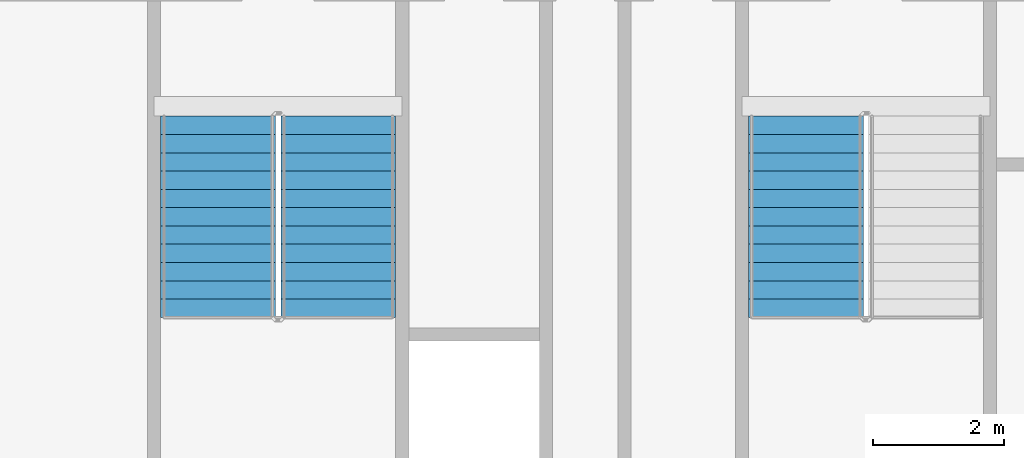
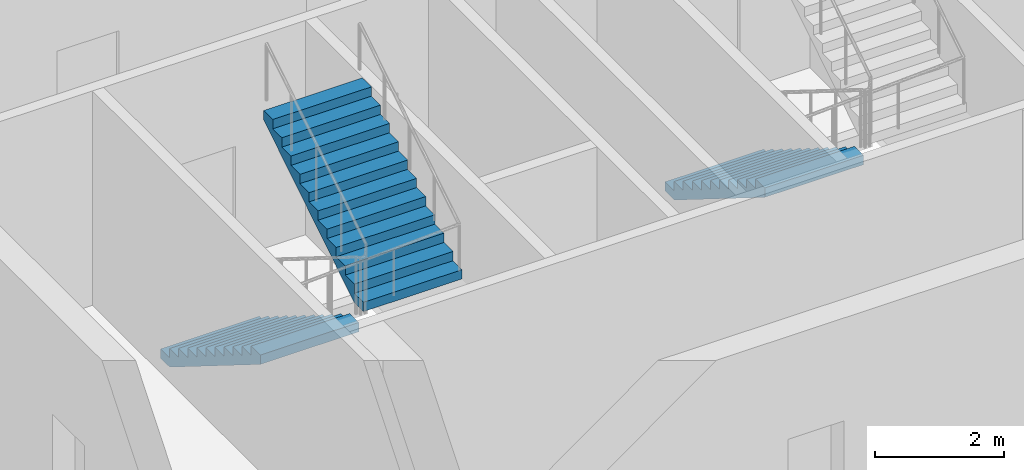
# One storey, part 20 of 27: 3 stair flights, 2 elements without a shape of their own.
"""IFC4 building model written with IfcOpenShell, lengths in metres."""

from ifc_helpers import new_model, si_unit, direction, frame, origin, place, context, subcontext, project, spatial, faceted_brep, material, type_object, element, aggregate, save


model = new_model("IFC4")

# Units and contexts
model_context = context("Model", 3, precision=1e-05, world=origin(), true_north=direction((0.0, 1.0)))
body_context = subcontext(model_context, "Body", "Model", "MODEL_VIEW")
ifc_project = project(units=[si_unit("LENGTHUNIT", "METRE"), si_unit("AREAUNIT", "SQUARE_METRE"), si_unit("VOLUMEUNIT", "CUBIC_METRE"), si_unit("PLANEANGLEUNIT", "RADIAN"), si_unit("MASSUNIT", "GRAM", prefix="KILO")], contexts=[model_context])

# Site, building, storey
site_placement = place(None, origin())
site = spatial("IfcSite", under=ifc_project, at=site_placement, CompositionType="ELEMENT")
building_placement = place(site_placement, origin())
building = spatial("IfcBuilding", under=site, at=building_placement, Name="Tarsis Ring Headquarters", CompositionType="ELEMENT")
storey_placement = place(building_placement, frame((0.0, 0.0, 373.39990234375)))
storey = spatial("IfcBuildingStorey", under=building, at=storey_placement, Name="L88", CompositionType="ELEMENT", Elevation=373.39990234375)

# Stair, stair flights
ifc_material_1 = material(Name="Core stair 1760")
stair_type = type_object("IfcStairType", Name="Core stair 1760", PredefinedType="HALF_TURN_STAIR", material=ifc_material_1)
stair_1_placement = place(storey_placement, origin())
stair_1 = element("IfcStair", 1, at=stair_1_placement, inside=storey, type_object=stair_type, Name="L88 Exit stair C", PredefinedType="HALF_TURN_STAIR")
ifc_material_2 = material(Name="Concrete C40/50", Category="concrete")
stair_flight_type = type_object("IfcStairFlightType", Name="Core stair flight 1760", PredefinedType="STRAIGHT", material=ifc_material_2)
stair_flight_1_placement = place(storey_placement, frame((-5.419921875, -3.659912109375, 0.0), z_axis=(0.0, 0.0, 1.0), x_axis=(0.0, -1.0, 0.0)))
stair_flight_1 = element("IfcStairFlight", 2, at=stair_flight_1_placement, type_object=stair_flight_type, Name="Stair ST3 flight 1", NumberOfRisers=12, NumberOfTreads=11, PredefinedType="STRAIGHT", RiserHeight=0.175, TreadLength=0.28, context=body_context, shape_type="Brep", body=[
    faceted_brep([(0.0, 0.8798828125, 0.0), (0.0, 0.8798828125, 0.175048828125), (0.280029296875, 0.8798828125, 0.175048828125), (0.280029296875, 0.8798828125, 0.35009765625), (0.56005859375, 0.8798828125, 0.35009765625), (0.56005859375, 0.8798828125, 0.52490234375), (0.840087890625, 0.8798828125, 0.52490234375), (0.840087890625, 0.8798828125, 0.699951171875), (1.1201171875, 0.8798828125, 0.699951171875), (1.1201171875, 0.8798828125, 0.875), (1.39990234375, 0.8798828125, 0.875), (1.39990234375, 0.8798828125, 1.050048828125), (1.679931640625, 0.8798828125, 1.050048828125), (1.679931640625, 0.8798828125, 1.22509765625), (1.9599609375, 0.8798828125, 1.22509765625), (1.9599609375, 0.8798828125, 1.39990234375), (2.239990234375, 0.8798828125, 1.39990234375), (2.239990234375, 0.8798828125, 1.574951171875), (2.52001953125, 0.8798828125, 1.574951171875), (2.52001953125, 0.8798828125, 1.75), (2.800048828125, 0.8798828125, 1.75), (2.800048828125, 0.8798828125, 1.925048828125), (3.080078125, 0.8798828125, 1.925048828125), (3.080078125, 0.8798828125, 1.748291015625), (0.28271484375, 0.8798828125, 0.0), (0.28271484375, -0.8798828125, 0.0), (3.080078125, -0.8798828125, 1.748291015625), (3.080078125, -0.8798828125, 1.925048828125), (2.800048828125, -0.8798828125, 1.925048828125), (2.800048828125, -0.8798828125, 1.75), (2.52001953125, -0.8798828125, 1.75), (2.52001953125, -0.8798828125, 1.574951171875), (2.239990234375, -0.8798828125, 1.574951171875), (2.239990234375, -0.8798828125, 1.39990234375), (1.9599609375, -0.8798828125, 1.39990234375), (1.9599609375, -0.8798828125, 1.22509765625), (1.679931640625, -0.8798828125, 1.22509765625), (1.679931640625, -0.8798828125, 1.050048828125), (1.39990234375, -0.8798828125, 1.050048828125), (1.39990234375, -0.8798828125, 0.875), (1.1201171875, -0.8798828125, 0.875), (1.1201171875, -0.8798828125, 0.699951171875), (0.840087890625, -0.8798828125, 0.699951171875), (0.840087890625, -0.8798828125, 0.52490234375), (0.56005859375, -0.8798828125, 0.52490234375), (0.56005859375, -0.8798828125, 0.35009765625), (0.280029296875, -0.8798828125, 0.35009765625), (0.280029296875, -0.8798828125, 0.175048828125), (0.0, -0.8798828125, 0.175048828125), (0.0, -0.8798828125, 0.0), (0.0, -0.43994140625, 0.175048828125), (0.0, -0.43994140625, 0.0), (0.0, 0.0, 0.175048828125), (0.0, 0.0, 0.0), (0.0, 0.43994140625, 0.175048828125), (0.0, 0.43994140625, 0.0), (0.280029296875, -0.43994140625, 0.175048828125), (0.280029296875, 0.0, 0.175048828125), (0.280029296875, 0.43994140625, 0.175048828125), (0.280029296875, -0.43994140625, 0.35009765625), (0.280029296875, 0.0, 0.35009765625), (0.280029296875, 0.43994140625, 0.35009765625), (0.56005859375, -0.43994140625, 0.35009765625), (0.56005859375, 0.0, 0.35009765625), (0.56005859375, 0.43994140625, 0.35009765625), (0.56005859375, -0.43994140625, 0.52490234375), (0.56005859375, 0.0, 0.52490234375), (0.56005859375, 0.43994140625, 0.52490234375), (0.840087890625, -0.43994140625, 0.52490234375), (0.840087890625, 0.0, 0.52490234375), (0.840087890625, 0.43994140625, 0.52490234375), (0.840087890625, -0.43994140625, 0.699951171875), (0.840087890625, 0.0, 0.699951171875), (0.840087890625, 0.43994140625, 0.699951171875), (1.1201171875, -0.43994140625, 0.699951171875), (1.1201171875, 0.0, 0.699951171875), (1.1201171875, 0.43994140625, 0.699951171875), (1.1201171875, -0.43994140625, 0.875), (1.1201171875, 0.0, 0.875), (1.1201171875, 0.43994140625, 0.875), (1.39990234375, -0.43994140625, 0.875), (1.39990234375, 0.0, 0.875), (1.39990234375, 0.43994140625, 0.875), (1.39990234375, -0.43994140625, 1.050048828125), (1.39990234375, 0.0, 1.050048828125), (1.39990234375, 0.43994140625, 1.050048828125), (1.679931640625, -0.43994140625, 1.050048828125), (1.679931640625, 0.0, 1.050048828125), (1.679931640625, 0.43994140625, 1.050048828125), (1.679931640625, -0.43994140625, 1.22509765625), (1.679931640625, 0.0, 1.22509765625), (1.679931640625, 0.43994140625, 1.22509765625), (1.9599609375, -0.43994140625, 1.22509765625), (1.9599609375, 0.0, 1.22509765625), (1.9599609375, 0.43994140625, 1.22509765625), (1.9599609375, -0.43994140625, 1.39990234375), (1.9599609375, 0.0, 1.39990234375), (1.9599609375, 0.43994140625, 1.39990234375), (2.239990234375, -0.43994140625, 1.39990234375), (2.239990234375, 0.0, 1.39990234375), (2.239990234375, 0.43994140625, 1.39990234375), (2.239990234375, -0.43994140625, 1.574951171875), (2.239990234375, 0.0, 1.574951171875), (2.239990234375, 0.43994140625, 1.574951171875), (2.52001953125, -0.43994140625, 1.574951171875), (2.52001953125, 0.0, 1.574951171875), (2.52001953125, 0.43994140625, 1.574951171875), (2.52001953125, -0.43994140625, 1.75), (2.52001953125, 0.0, 1.75), (2.52001953125, 0.43994140625, 1.75), (2.800048828125, -0.43994140625, 1.75), (2.800048828125, 0.0, 1.75), (2.800048828125, 0.43994140625, 1.75), (2.800048828125, -0.43994140625, 1.925048828125), (2.800048828125, 0.0, 1.925048828125), (2.800048828125, 0.43994140625, 1.925048828125), (3.080078125, -0.43994140625, 1.925048828125), (3.080078125, 0.0, 1.925048828125), (3.080078125, 0.43994140625, 1.925048828125), (3.080078125, -0.43994140625, 1.748291015625), (3.080078125, 0.0, 1.748291015625), (3.080078125, 0.43994140625, 1.748291015625), (0.28271484375, -0.43994140625, 0.0), (0.28271484375, 0.0, 0.0), (0.28271484375, 0.43994140625, 0.0)], [[[0, 1, 2, 3, 4, 5, 6, 7, 8, 9, 10, 11, 12, 13, 14, 15, 16, 17, 18, 19, 20, 21, 22, 23, 24]], [[25, 26, 27, 28, 29, 30, 31, 32, 33, 34, 35, 36, 37, 38, 39, 40, 41, 42, 43, 44, 45, 46, 47, 48, 49]], [[49, 48, 50, 51]], [[51, 50, 52, 53]], [[53, 52, 54, 55]], [[55, 54, 1, 0]], [[48, 47, 56, 50]], [[50, 56, 57, 52]], [[52, 57, 58, 54]], [[54, 58, 2, 1]], [[47, 46, 59, 56]], [[56, 59, 60, 57]], [[57, 60, 61, 58]], [[58, 61, 3, 2]], [[46, 45, 62, 59]], [[59, 62, 63, 60]], [[60, 63, 64, 61]], [[61, 64, 4, 3]], [[45, 44, 65, 62]], [[62, 65, 66, 63]], [[63, 66, 67, 64]], [[64, 67, 5, 4]], [[44, 43, 68, 65]], [[65, 68, 69, 66]], [[66, 69, 70, 67]], [[67, 70, 6, 5]], [[43, 42, 71, 68]], [[68, 71, 72, 69]], [[69, 72, 73, 70]], [[70, 73, 7, 6]], [[42, 41, 74, 71]], [[71, 74, 75, 72]], [[72, 75, 76, 73]], [[73, 76, 8, 7]], [[41, 40, 77, 74]], [[74, 77, 78, 75]], [[75, 78, 79, 76]], [[76, 79, 9, 8]], [[40, 39, 80, 77]], [[77, 80, 81, 78]], [[78, 81, 82, 79]], [[79, 82, 10, 9]], [[39, 38, 83, 80]], [[80, 83, 84, 81]], [[81, 84, 85, 82]], [[82, 85, 11, 10]], [[38, 37, 86, 83]], [[83, 86, 87, 84]], [[84, 87, 88, 85]], [[85, 88, 12, 11]], [[37, 36, 89, 86]], [[86, 89, 90, 87]], [[87, 90, 91, 88]], [[88, 91, 13, 12]], [[36, 35, 92, 89]], [[89, 92, 93, 90]], [[90, 93, 94, 91]], [[91, 94, 14, 13]], [[35, 34, 95, 92]], [[92, 95, 96, 93]], [[93, 96, 97, 94]], [[94, 97, 15, 14]], [[34, 33, 98, 95]], [[95, 98, 99, 96]], [[96, 99, 100, 97]], [[97, 100, 16, 15]], [[33, 32, 101, 98]], [[98, 101, 102, 99]], [[99, 102, 103, 100]], [[100, 103, 17, 16]], [[32, 31, 104, 101]], [[101, 104, 105, 102]], [[102, 105, 106, 103]], [[103, 106, 18, 17]], [[31, 30, 107, 104]], [[104, 107, 108, 105]], [[105, 108, 109, 106]], [[106, 109, 19, 18]], [[30, 29, 110, 107]], [[107, 110, 111, 108]], [[108, 111, 112, 109]], [[109, 112, 20, 19]], [[29, 28, 113, 110]], [[110, 113, 114, 111]], [[111, 114, 115, 112]], [[112, 115, 21, 20]], [[28, 27, 116, 113]], [[113, 116, 117, 114]], [[114, 117, 118, 115]], [[115, 118, 22, 21]], [[27, 26, 119, 116]], [[116, 119, 120, 117]], [[117, 120, 121, 118]], [[118, 121, 23, 22]], [[26, 25, 122, 119]], [[119, 122, 123, 120]], [[120, 123, 124, 121]], [[121, 124, 24, 23]], [[25, 49, 51, 122]], [[122, 51, 53, 123]], [[123, 53, 55, 124]], [[124, 55, 0, 24]]]),
])
stair_flight_2_placement = place(storey_placement, frame((-3.580078125, -6.739990234375, 2.10009765625), z_axis=(0.0, 0.0, 1.0), x_axis=(0.0, 1.0, 0.0)))
stair_flight_2 = element("IfcStairFlight", 3, at=stair_flight_2_placement, type_object=stair_flight_type, Name="Stair ST3 flight 2", NumberOfRisers=12, NumberOfTreads=11, PredefinedType="STRAIGHT", RiserHeight=0.175, TreadLength=0.28, context=body_context, shape_type="Brep", body=[
    faceted_brep([(0.0, 0.8798828125, 0.0), (0.0, 0.8798828125, 0.175048828125), (0.280029296875, 0.8798828125, 0.175048828125), (0.280029296875, 0.8798828125, 0.35009765625), (0.56005859375, 0.8798828125, 0.35009765625), (0.56005859375, 0.8798828125, 0.52490234375), (0.840087890625, 0.8798828125, 0.52490234375), (0.840087890625, 0.8798828125, 0.699951171875), (1.1201171875, 0.8798828125, 0.699951171875), (1.1201171875, 0.8798828125, 0.875), (1.39990234375, 0.8798828125, 0.875), (1.39990234375, 0.8798828125, 1.050048828125), (1.679931640625, 0.8798828125, 1.050048828125), (1.679931640625, 0.8798828125, 1.22509765625), (1.9599609375, 0.8798828125, 1.22509765625), (1.9599609375, 0.8798828125, 1.39990234375), (2.239990234375, 0.8798828125, 1.39990234375), (2.239990234375, 0.8798828125, 1.574951171875), (2.52001953125, 0.8798828125, 1.574951171875), (2.52001953125, 0.8798828125, 1.75), (2.800048828125, 0.8798828125, 1.75), (2.800048828125, 0.8798828125, 1.925048828125), (3.080078125, 0.8798828125, 1.925048828125), (3.080078125, 0.8798828125, 1.748291015625), (0.28271484375, 0.8798828125, 0.0), (0.28271484375, -0.8798828125, 0.0), (3.080078125, -0.8798828125, 1.748291015625), (3.080078125, -0.8798828125, 1.925048828125), (2.800048828125, -0.8798828125, 1.925048828125), (2.800048828125, -0.8798828125, 1.75), (2.52001953125, -0.8798828125, 1.75), (2.52001953125, -0.8798828125, 1.574951171875), (2.239990234375, -0.8798828125, 1.574951171875), (2.239990234375, -0.8798828125, 1.39990234375), (1.9599609375, -0.8798828125, 1.39990234375), (1.9599609375, -0.8798828125, 1.22509765625), (1.679931640625, -0.8798828125, 1.22509765625), (1.679931640625, -0.8798828125, 1.050048828125), (1.39990234375, -0.8798828125, 1.050048828125), (1.39990234375, -0.8798828125, 0.875), (1.1201171875, -0.8798828125, 0.875), (1.1201171875, -0.8798828125, 0.699951171875), (0.840087890625, -0.8798828125, 0.699951171875), (0.840087890625, -0.8798828125, 0.52490234375), (0.56005859375, -0.8798828125, 0.52490234375), (0.56005859375, -0.8798828125, 0.35009765625), (0.280029296875, -0.8798828125, 0.35009765625), (0.280029296875, -0.8798828125, 0.175048828125), (0.0, -0.8798828125, 0.175048828125), (0.0, -0.8798828125, 0.0), (0.0, -0.43994140625, 0.175048828125), (0.0, -0.43994140625, 0.0), (0.0, 0.0, 0.175048828125), (0.0, 0.0, 0.0), (0.0, 0.43994140625, 0.175048828125), (0.0, 0.43994140625, 0.0), (0.280029296875, -0.43994140625, 0.175048828125), (0.280029296875, 0.0, 0.175048828125), (0.280029296875, 0.43994140625, 0.175048828125), (0.280029296875, -0.43994140625, 0.35009765625), (0.280029296875, 0.0, 0.35009765625), (0.280029296875, 0.43994140625, 0.35009765625), (0.56005859375, -0.43994140625, 0.35009765625), (0.56005859375, 0.0, 0.35009765625), (0.56005859375, 0.43994140625, 0.35009765625), (0.56005859375, -0.43994140625, 0.52490234375), (0.56005859375, 0.0, 0.52490234375), (0.56005859375, 0.43994140625, 0.52490234375), (0.840087890625, -0.43994140625, 0.52490234375), (0.840087890625, 0.0, 0.52490234375), (0.840087890625, 0.43994140625, 0.52490234375), (0.840087890625, -0.43994140625, 0.699951171875), (0.840087890625, 0.0, 0.699951171875), (0.840087890625, 0.43994140625, 0.699951171875), (1.1201171875, -0.43994140625, 0.699951171875), (1.1201171875, 0.0, 0.699951171875), (1.1201171875, 0.43994140625, 0.699951171875), (1.1201171875, -0.43994140625, 0.875), (1.1201171875, 0.0, 0.875), (1.1201171875, 0.43994140625, 0.875), (1.39990234375, -0.43994140625, 0.875), (1.39990234375, 0.0, 0.875), (1.39990234375, 0.43994140625, 0.875), (1.39990234375, -0.43994140625, 1.050048828125), (1.39990234375, 0.0, 1.050048828125), (1.39990234375, 0.43994140625, 1.050048828125), (1.679931640625, -0.43994140625, 1.050048828125), (1.679931640625, 0.0, 1.050048828125), (1.679931640625, 0.43994140625, 1.050048828125), (1.679931640625, -0.43994140625, 1.22509765625), (1.679931640625, 0.0, 1.22509765625), (1.679931640625, 0.43994140625, 1.22509765625), (1.9599609375, -0.43994140625, 1.22509765625), (1.9599609375, 0.0, 1.22509765625), (1.9599609375, 0.43994140625, 1.22509765625), (1.9599609375, -0.43994140625, 1.39990234375), (1.9599609375, 0.0, 1.39990234375), (1.9599609375, 0.43994140625, 1.39990234375), (2.239990234375, -0.43994140625, 1.39990234375), (2.239990234375, 0.0, 1.39990234375), (2.239990234375, 0.43994140625, 1.39990234375), (2.239990234375, -0.43994140625, 1.574951171875), (2.239990234375, 0.0, 1.574951171875), (2.239990234375, 0.43994140625, 1.574951171875), (2.52001953125, -0.43994140625, 1.574951171875), (2.52001953125, 0.0, 1.574951171875), (2.52001953125, 0.43994140625, 1.574951171875), (2.52001953125, -0.43994140625, 1.75), (2.52001953125, 0.0, 1.75), (2.52001953125, 0.43994140625, 1.75), (2.800048828125, -0.43994140625, 1.75), (2.800048828125, 0.0, 1.75), (2.800048828125, 0.43994140625, 1.75), (2.800048828125, -0.43994140625, 1.925048828125), (2.800048828125, 0.0, 1.925048828125), (2.800048828125, 0.43994140625, 1.925048828125), (3.080078125, -0.43994140625, 1.925048828125), (3.080078125, 0.0, 1.925048828125), (3.080078125, 0.43994140625, 1.925048828125), (3.080078125, -0.43994140625, 1.748291015625), (3.080078125, 0.0, 1.748291015625), (3.080078125, 0.43994140625, 1.748291015625), (0.28271484375, -0.43994140625, 0.0), (0.28271484375, 0.0, 0.0), (0.28271484375, 0.43994140625, 0.0)], [[[0, 1, 2, 3, 4, 5, 6, 7, 8, 9, 10, 11, 12, 13, 14, 15, 16, 17, 18, 19, 20, 21, 22, 23, 24]], [[25, 26, 27, 28, 29, 30, 31, 32, 33, 34, 35, 36, 37, 38, 39, 40, 41, 42, 43, 44, 45, 46, 47, 48, 49]], [[49, 48, 50, 51]], [[51, 50, 52, 53]], [[53, 52, 54, 55]], [[55, 54, 1, 0]], [[48, 47, 56, 50]], [[50, 56, 57, 52]], [[52, 57, 58, 54]], [[54, 58, 2, 1]], [[47, 46, 59, 56]], [[56, 59, 60, 57]], [[57, 60, 61, 58]], [[58, 61, 3, 2]], [[46, 45, 62, 59]], [[59, 62, 63, 60]], [[60, 63, 64, 61]], [[61, 64, 4, 3]], [[45, 44, 65, 62]], [[62, 65, 66, 63]], [[63, 66, 67, 64]], [[64, 67, 5, 4]], [[44, 43, 68, 65]], [[65, 68, 69, 66]], [[66, 69, 70, 67]], [[67, 70, 6, 5]], [[43, 42, 71, 68]], [[68, 71, 72, 69]], [[69, 72, 73, 70]], [[70, 73, 7, 6]], [[42, 41, 74, 71]], [[71, 74, 75, 72]], [[72, 75, 76, 73]], [[73, 76, 8, 7]], [[41, 40, 77, 74]], [[74, 77, 78, 75]], [[75, 78, 79, 76]], [[76, 79, 9, 8]], [[40, 39, 80, 77]], [[77, 80, 81, 78]], [[78, 81, 82, 79]], [[79, 82, 10, 9]], [[39, 38, 83, 80]], [[80, 83, 84, 81]], [[81, 84, 85, 82]], [[82, 85, 11, 10]], [[38, 37, 86, 83]], [[83, 86, 87, 84]], [[84, 87, 88, 85]], [[85, 88, 12, 11]], [[37, 36, 89, 86]], [[86, 89, 90, 87]], [[87, 90, 91, 88]], [[88, 91, 13, 12]], [[36, 35, 92, 89]], [[89, 92, 93, 90]], [[90, 93, 94, 91]], [[91, 94, 14, 13]], [[35, 34, 95, 92]], [[92, 95, 96, 93]], [[93, 96, 97, 94]], [[94, 97, 15, 14]], [[34, 33, 98, 95]], [[95, 98, 99, 96]], [[96, 99, 100, 97]], [[97, 100, 16, 15]], [[33, 32, 101, 98]], [[98, 101, 102, 99]], [[99, 102, 103, 100]], [[100, 103, 17, 16]], [[32, 31, 104, 101]], [[101, 104, 105, 102]], [[102, 105, 106, 103]], [[103, 106, 18, 17]], [[31, 30, 107, 104]], [[104, 107, 108, 105]], [[105, 108, 109, 106]], [[106, 109, 19, 18]], [[30, 29, 110, 107]], [[107, 110, 111, 108]], [[108, 111, 112, 109]], [[109, 112, 20, 19]], [[29, 28, 113, 110]], [[110, 113, 114, 111]], [[111, 114, 115, 112]], [[112, 115, 21, 20]], [[28, 27, 116, 113]], [[113, 116, 117, 114]], [[114, 117, 118, 115]], [[115, 118, 22, 21]], [[27, 26, 119, 116]], [[116, 119, 120, 117]], [[117, 120, 121, 118]], [[118, 121, 23, 22]], [[26, 25, 122, 119]], [[119, 122, 123, 120]], [[120, 123, 124, 121]], [[121, 124, 24, 23]], [[25, 49, 51, 122]], [[122, 51, 53, 123]], [[123, 53, 55, 124]], [[124, 55, 0, 24]]]),
])
aggregate(stair_1, [stair_flight_1, stair_flight_2])

# Stair, stair flight
stair_2_placement = place(storey_placement, origin())
stair_2 = element("IfcStair", 4, at=stair_2_placement, inside=storey, type_object=stair_type, Name="L88 Exit stair D", PredefinedType="HALF_TURN_STAIR")
stair_flight_3_placement = place(storey_placement, frame((3.580078125, -3.659912109375, 0.0), z_axis=(0.0, 0.0, 1.0), x_axis=(0.0, -1.0, 0.0)))
stair_flight_3 = element("IfcStairFlight", 5, at=stair_flight_3_placement, type_object=stair_flight_type, Name="Stair ST4 flight 1", NumberOfRisers=12, NumberOfTreads=11, PredefinedType="STRAIGHT", RiserHeight=0.175, TreadLength=0.28, context=body_context, shape_type="Brep", body=[
    faceted_brep([(0.0, 0.8798828125, 0.0), (0.0, 0.8798828125, 0.175048828125), (0.280029296875, 0.8798828125, 0.175048828125), (0.280029296875, 0.8798828125, 0.35009765625), (0.56005859375, 0.8798828125, 0.35009765625), (0.56005859375, 0.8798828125, 0.52490234375), (0.840087890625, 0.8798828125, 0.52490234375), (0.840087890625, 0.8798828125, 0.699951171875), (1.1201171875, 0.8798828125, 0.699951171875), (1.1201171875, 0.8798828125, 0.875), (1.39990234375, 0.8798828125, 0.875), (1.39990234375, 0.8798828125, 1.050048828125), (1.679931640625, 0.8798828125, 1.050048828125), (1.679931640625, 0.8798828125, 1.22509765625), (1.9599609375, 0.8798828125, 1.22509765625), (1.9599609375, 0.8798828125, 1.39990234375), (2.239990234375, 0.8798828125, 1.39990234375), (2.239990234375, 0.8798828125, 1.574951171875), (2.52001953125, 0.8798828125, 1.574951171875), (2.52001953125, 0.8798828125, 1.75), (2.800048828125, 0.8798828125, 1.75), (2.800048828125, 0.8798828125, 1.925048828125), (3.080078125, 0.8798828125, 1.925048828125), (3.080078125, 0.8798828125, 1.748291015625), (0.28271484375, 0.8798828125, 0.0), (0.28271484375, -0.8798828125, 0.0), (3.080078125, -0.8798828125, 1.748291015625), (3.080078125, -0.8798828125, 1.925048828125), (2.800048828125, -0.8798828125, 1.925048828125), (2.800048828125, -0.8798828125, 1.75), (2.52001953125, -0.8798828125, 1.75), (2.52001953125, -0.8798828125, 1.574951171875), (2.239990234375, -0.8798828125, 1.574951171875), (2.239990234375, -0.8798828125, 1.39990234375), (1.9599609375, -0.8798828125, 1.39990234375), (1.9599609375, -0.8798828125, 1.22509765625), (1.679931640625, -0.8798828125, 1.22509765625), (1.679931640625, -0.8798828125, 1.050048828125), (1.39990234375, -0.8798828125, 1.050048828125), (1.39990234375, -0.8798828125, 0.875), (1.1201171875, -0.8798828125, 0.875), (1.1201171875, -0.8798828125, 0.699951171875), (0.840087890625, -0.8798828125, 0.699951171875), (0.840087890625, -0.8798828125, 0.52490234375), (0.56005859375, -0.8798828125, 0.52490234375), (0.56005859375, -0.8798828125, 0.35009765625), (0.280029296875, -0.8798828125, 0.35009765625), (0.280029296875, -0.8798828125, 0.175048828125), (0.0, -0.8798828125, 0.175048828125), (0.0, -0.8798828125, 0.0), (0.0, -0.43994140625, 0.175048828125), (0.0, -0.43994140625, 0.0), (0.0, 0.0, 0.175048828125), (0.0, 0.0, 0.0), (0.0, 0.43994140625, 0.175048828125), (0.0, 0.43994140625, 0.0), (0.280029296875, -0.43994140625, 0.175048828125), (0.280029296875, 0.0, 0.175048828125), (0.280029296875, 0.43994140625, 0.175048828125), (0.280029296875, -0.43994140625, 0.35009765625), (0.280029296875, 0.0, 0.35009765625), (0.280029296875, 0.43994140625, 0.35009765625), (0.56005859375, -0.43994140625, 0.35009765625), (0.56005859375, 0.0, 0.35009765625), (0.56005859375, 0.43994140625, 0.35009765625), (0.56005859375, -0.43994140625, 0.52490234375), (0.56005859375, 0.0, 0.52490234375), (0.56005859375, 0.43994140625, 0.52490234375), (0.840087890625, -0.43994140625, 0.52490234375), (0.840087890625, 0.0, 0.52490234375), (0.840087890625, 0.43994140625, 0.52490234375), (0.840087890625, -0.43994140625, 0.699951171875), (0.840087890625, 0.0, 0.699951171875), (0.840087890625, 0.43994140625, 0.699951171875), (1.1201171875, -0.43994140625, 0.699951171875), (1.1201171875, 0.0, 0.699951171875), (1.1201171875, 0.43994140625, 0.699951171875), (1.1201171875, -0.43994140625, 0.875), (1.1201171875, 0.0, 0.875), (1.1201171875, 0.43994140625, 0.875), (1.39990234375, -0.43994140625, 0.875), (1.39990234375, 0.0, 0.875), (1.39990234375, 0.43994140625, 0.875), (1.39990234375, -0.43994140625, 1.050048828125), (1.39990234375, 0.0, 1.050048828125), (1.39990234375, 0.43994140625, 1.050048828125), (1.679931640625, -0.43994140625, 1.050048828125), (1.679931640625, 0.0, 1.050048828125), (1.679931640625, 0.43994140625, 1.050048828125), (1.679931640625, -0.43994140625, 1.22509765625), (1.679931640625, 0.0, 1.22509765625), (1.679931640625, 0.43994140625, 1.22509765625), (1.9599609375, -0.43994140625, 1.22509765625), (1.9599609375, 0.0, 1.22509765625), (1.9599609375, 0.43994140625, 1.22509765625), (1.9599609375, -0.43994140625, 1.39990234375), (1.9599609375, 0.0, 1.39990234375), (1.9599609375, 0.43994140625, 1.39990234375), (2.239990234375, -0.43994140625, 1.39990234375), (2.239990234375, 0.0, 1.39990234375), (2.239990234375, 0.43994140625, 1.39990234375), (2.239990234375, -0.43994140625, 1.574951171875), (2.239990234375, 0.0, 1.574951171875), (2.239990234375, 0.43994140625, 1.574951171875), (2.52001953125, -0.43994140625, 1.574951171875), (2.52001953125, 0.0, 1.574951171875), (2.52001953125, 0.43994140625, 1.574951171875), (2.52001953125, -0.43994140625, 1.75), (2.52001953125, 0.0, 1.75), (2.52001953125, 0.43994140625, 1.75), (2.800048828125, -0.43994140625, 1.75), (2.800048828125, 0.0, 1.75), (2.800048828125, 0.43994140625, 1.75), (2.800048828125, -0.43994140625, 1.925048828125), (2.800048828125, 0.0, 1.925048828125), (2.800048828125, 0.43994140625, 1.925048828125), (3.080078125, -0.43994140625, 1.925048828125), (3.080078125, 0.0, 1.925048828125), (3.080078125, 0.43994140625, 1.925048828125), (3.080078125, -0.43994140625, 1.748291015625), (3.080078125, 0.0, 1.748291015625), (3.080078125, 0.43994140625, 1.748291015625), (0.28271484375, -0.43994140625, 0.0), (0.28271484375, 0.0, 0.0), (0.28271484375, 0.43994140625, 0.0)], [[[0, 1, 2, 3, 4, 5, 6, 7, 8, 9, 10, 11, 12, 13, 14, 15, 16, 17, 18, 19, 20, 21, 22, 23, 24]], [[25, 26, 27, 28, 29, 30, 31, 32, 33, 34, 35, 36, 37, 38, 39, 40, 41, 42, 43, 44, 45, 46, 47, 48, 49]], [[49, 48, 50, 51]], [[51, 50, 52, 53]], [[53, 52, 54, 55]], [[55, 54, 1, 0]], [[48, 47, 56, 50]], [[50, 56, 57, 52]], [[52, 57, 58, 54]], [[54, 58, 2, 1]], [[47, 46, 59, 56]], [[56, 59, 60, 57]], [[57, 60, 61, 58]], [[58, 61, 3, 2]], [[46, 45, 62, 59]], [[59, 62, 63, 60]], [[60, 63, 64, 61]], [[61, 64, 4, 3]], [[45, 44, 65, 62]], [[62, 65, 66, 63]], [[63, 66, 67, 64]], [[64, 67, 5, 4]], [[44, 43, 68, 65]], [[65, 68, 69, 66]], [[66, 69, 70, 67]], [[67, 70, 6, 5]], [[43, 42, 71, 68]], [[68, 71, 72, 69]], [[69, 72, 73, 70]], [[70, 73, 7, 6]], [[42, 41, 74, 71]], [[71, 74, 75, 72]], [[72, 75, 76, 73]], [[73, 76, 8, 7]], [[41, 40, 77, 74]], [[74, 77, 78, 75]], [[75, 78, 79, 76]], [[76, 79, 9, 8]], [[40, 39, 80, 77]], [[77, 80, 81, 78]], [[78, 81, 82, 79]], [[79, 82, 10, 9]], [[39, 38, 83, 80]], [[80, 83, 84, 81]], [[81, 84, 85, 82]], [[82, 85, 11, 10]], [[38, 37, 86, 83]], [[83, 86, 87, 84]], [[84, 87, 88, 85]], [[85, 88, 12, 11]], [[37, 36, 89, 86]], [[86, 89, 90, 87]], [[87, 90, 91, 88]], [[88, 91, 13, 12]], [[36, 35, 92, 89]], [[89, 92, 93, 90]], [[90, 93, 94, 91]], [[91, 94, 14, 13]], [[35, 34, 95, 92]], [[92, 95, 96, 93]], [[93, 96, 97, 94]], [[94, 97, 15, 14]], [[34, 33, 98, 95]], [[95, 98, 99, 96]], [[96, 99, 100, 97]], [[97, 100, 16, 15]], [[33, 32, 101, 98]], [[98, 101, 102, 99]], [[99, 102, 103, 100]], [[100, 103, 17, 16]], [[32, 31, 104, 101]], [[101, 104, 105, 102]], [[102, 105, 106, 103]], [[103, 106, 18, 17]], [[31, 30, 107, 104]], [[104, 107, 108, 105]], [[105, 108, 109, 106]], [[106, 109, 19, 18]], [[30, 29, 110, 107]], [[107, 110, 111, 108]], [[108, 111, 112, 109]], [[109, 112, 20, 19]], [[29, 28, 113, 110]], [[110, 113, 114, 111]], [[111, 114, 115, 112]], [[112, 115, 21, 20]], [[28, 27, 116, 113]], [[113, 116, 117, 114]], [[114, 117, 118, 115]], [[115, 118, 22, 21]], [[27, 26, 119, 116]], [[116, 119, 120, 117]], [[117, 120, 121, 118]], [[118, 121, 23, 22]], [[26, 25, 122, 119]], [[119, 122, 123, 120]], [[120, 123, 124, 121]], [[121, 124, 24, 23]], [[25, 49, 51, 122]], [[122, 51, 53, 123]], [[123, 53, 55, 124]], [[124, 55, 0, 24]]]),
])
aggregate(stair_2, [stair_flight_3])

save(model, "model.ifc")
